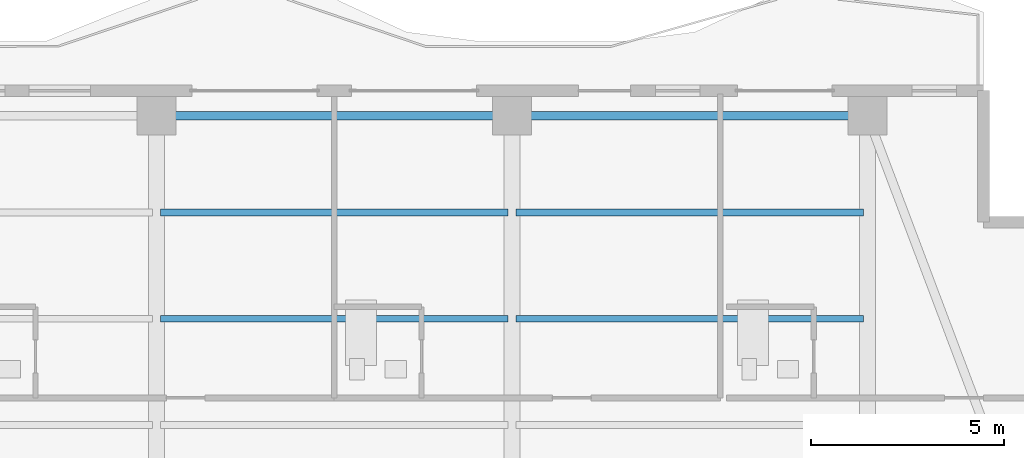
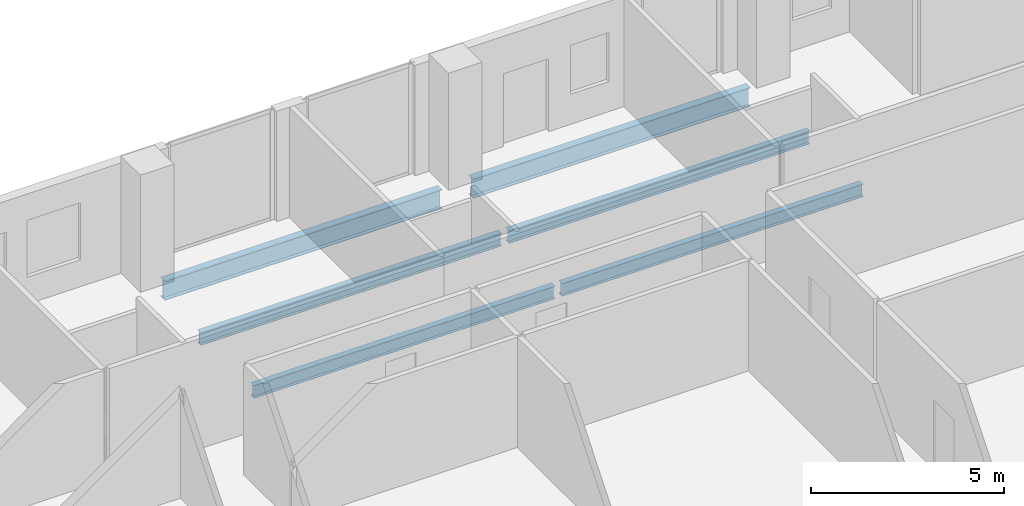
# One storey, part 14 of 25: 6 beams.
"""IFC4 building model written with IfcOpenShell, lengths in metres."""

from ifc_helpers import new_model, si_unit, direction, frame, origin, origin_2d, place, context, subcontext, project, spatial, i_section, extrude, material, material_profile, profile_set, type_object, element, save


model = new_model("IFC4")

# Units and contexts
model_context = context("Model", 3, precision=1e-05, world=origin(), true_north=direction((0.0, 1.0)))
body_context = subcontext(model_context, "Body", "Model", "MODEL_VIEW")
ifc_project = project(units=[si_unit("LENGTHUNIT", "METRE"), si_unit("AREAUNIT", "SQUARE_METRE"), si_unit("VOLUMEUNIT", "CUBIC_METRE"), si_unit("PLANEANGLEUNIT", "RADIAN"), si_unit("MASSUNIT", "GRAM", prefix="KILO")], contexts=[model_context])

# Site, building, storey
site_placement = place(None, origin())
site = spatial("IfcSite", under=ifc_project, at=site_placement, CompositionType="ELEMENT")
building_placement = place(site_placement, origin())
building = spatial("IfcBuilding", under=site, at=building_placement, Name="Zuhayl Quay Hotel", CompositionType="ELEMENT")
storey_placement = place(building_placement, frame((0.0, 0.0, 250.75)))
storey = spatial("IfcBuildingStorey", under=building, at=storey_placement, Name="L63", CompositionType="ELEMENT", Elevation=250.75)

# Beams
ifc_material = material(Name="Steel ASTM A992 Grade 50", Category="steel")
ifc_material_profile_1 = material_profile(ifc_material, i_section(OverallWidth=0.22802734375, OverallDepth=0.60693359375, WebThickness=0.01123046875, FlangeThickness=0.017333984375, at=origin_2d()), Name="W24X76")
ifc_profile_set_1 = profile_set([ifc_material_profile_1], Name="Steel ASTM A992 Grade 50")
beam_type_1 = type_object("IfcBeamType", Name="BM_B3_W24X76", PredefinedType="BEAM", material=ifc_profile_set_1)
beam_1_placement = place(storey_placement, frame((13.340087890625, 38.35009765625, -0.5234375), z_axis=(-1.0, 0.0, 0.0), x_axis=(0.0, -1.0, 0.0)))
element("IfcBeam", 1, at=beam_1_placement, inside=storey, type_object=beam_type_1, Name="L63 Floor Beam RG_L63_07", PredefinedType="BEAM", context=body_context, shape_type="SweptSolid", body=[
    extrude(i_section(OverallWidth=0.22802734375, OverallDepth=0.60693359375, WebThickness=0.01123046875, FlangeThickness=0.017333984375, at=origin_2d()), origin(), (0.0, 0.0, 1.0), 8.280029296875),
])
beam_2_placement = place(storey_placement, frame((4.139892578125, 38.35009765625, -0.5234375), z_axis=(-1.0, 0.0, 0.0), x_axis=(0.0, -1.0, 0.0)))
element("IfcBeam", 2, at=beam_2_placement, inside=storey, type_object=beam_type_1, Name="L63 Floor Beam RG_L63_08", PredefinedType="BEAM", context=body_context, shape_type="SweptSolid", body=[
    extrude(i_section(OverallWidth=0.22802734375, OverallDepth=0.60693359375, WebThickness=0.01123046875, FlangeThickness=0.017333984375, at=origin_2d()), origin(), (0.0, 0.0, 1.0), 8.27978515625),
])
ifc_material_profile_2 = material_profile(ifc_material, i_section(OverallWidth=0.177978515625, OverallDepth=0.404052734375, WebThickness=0.007568359375, FlangeThickness=0.010986328125, at=origin_2d()), Name="W16X36")
ifc_profile_set_2 = profile_set([ifc_material_profile_2], Name="Steel ASTM A992 Grade 50")
beam_type_2 = type_object("IfcBeamType", Name="BM_J3_W16X36", PredefinedType="JOIST", material=ifc_profile_set_2)
beam_3_placement = place(storey_placement, frame((-4.493896484375, 33.10009765625, -0.422119140625), z_axis=(1.0, 0.0, 0.0), x_axis=(0.0, 1.0, 0.0)))
element("IfcBeam", 3, at=beam_3_placement, inside=storey, type_object=beam_type_2, Name="L63 Floor Beam FJ_L63_7_2", PredefinedType="JOIST", context=body_context, shape_type="SweptSolid", body=[
    extrude(i_section(OverallWidth=0.177978515625, OverallDepth=0.404052734375, WebThickness=0.007568359375, FlangeThickness=0.010986328125, at=origin_2d()), origin(), (0.0, 0.0, 1.0), 8.98779296875),
])
beam_4_placement = place(storey_placement, frame((4.7060546875, 33.10009765625, -0.422119140625), z_axis=(1.0, 0.0, 0.0), x_axis=(0.0, 1.0, 0.0)))
element("IfcBeam", 4, at=beam_4_placement, inside=storey, type_object=beam_type_2, Name="L63 Floor Beam FJ_L63_7_3", PredefinedType="JOIST", context=body_context, shape_type="SweptSolid", body=[
    extrude(i_section(OverallWidth=0.177978515625, OverallDepth=0.404052734375, WebThickness=0.007568359375, FlangeThickness=0.010986328125, at=origin_2d()), origin(), (0.0, 0.0, 1.0), 8.988037109375),
])
beam_5_placement = place(storey_placement, frame((-4.493896484375, 35.85009765625, -0.422119140625), z_axis=(1.0, 0.0, 0.0), x_axis=(0.0, 1.0, 0.0)))
element("IfcBeam", 5, at=beam_5_placement, inside=storey, type_object=beam_type_2, Name="L63 Floor Beam FJ_L63_8_2", PredefinedType="JOIST", context=body_context, shape_type="SweptSolid", body=[
    extrude(i_section(OverallWidth=0.177978515625, OverallDepth=0.404052734375, WebThickness=0.007568359375, FlangeThickness=0.010986328125, at=origin_2d()), origin(), (0.0, 0.0, 1.0), 8.98779296875),
])
beam_6_placement = place(storey_placement, frame((4.7060546875, 35.85009765625, -0.422119140625), z_axis=(1.0, 0.0, 0.0), x_axis=(0.0, 1.0, 0.0)))
element("IfcBeam", 6, at=beam_6_placement, inside=storey, type_object=beam_type_2, Name="L63 Floor Beam FJ_L63_8_3", PredefinedType="JOIST", context=body_context, shape_type="SweptSolid", body=[
    extrude(i_section(OverallWidth=0.177978515625, OverallDepth=0.404052734375, WebThickness=0.007568359375, FlangeThickness=0.010986328125, at=origin_2d()), origin(), (0.0, 0.0, 1.0), 8.988037109375),
])

save(model, "model.ifc")
